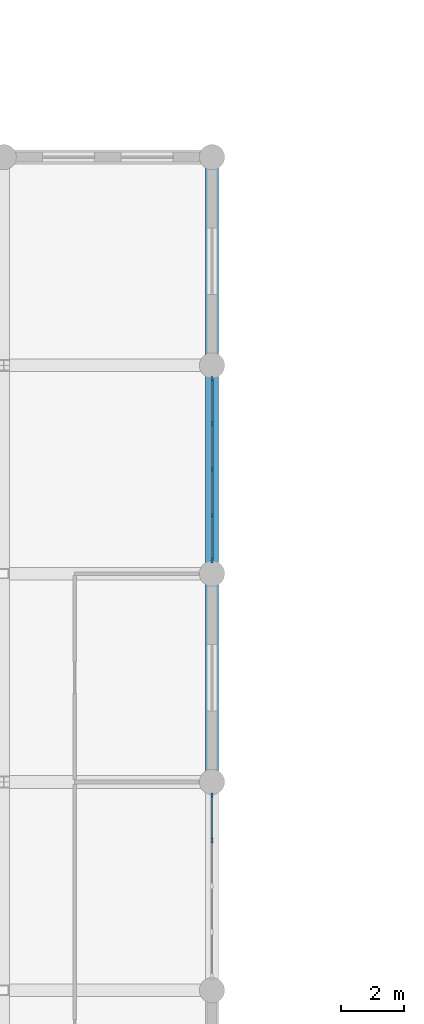
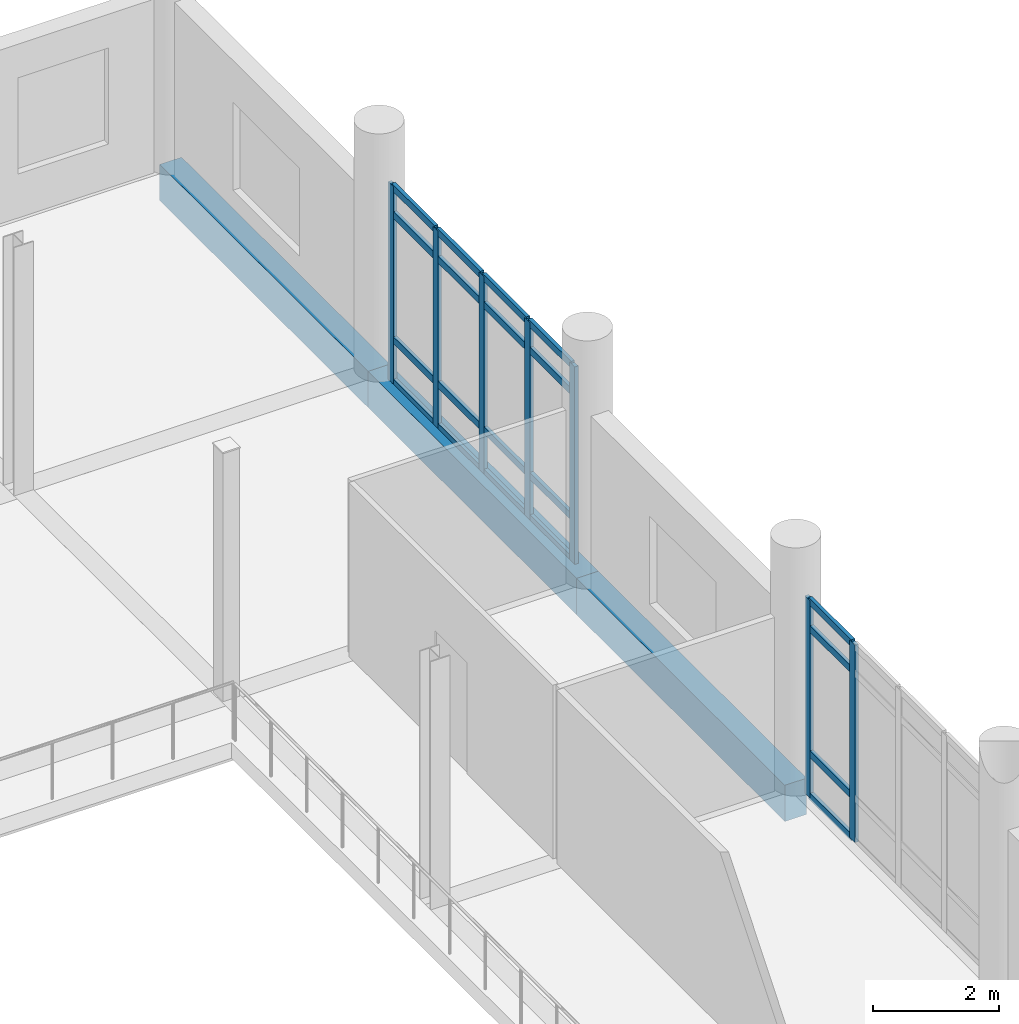
# One storey, part 21 of 76: 27 members, 3 beams, 2 elements without a shape of their own.
"""IFC4 building model written with IfcOpenShell, lengths in metres."""

from ifc_helpers import new_model, si_unit, direction, frame, origin, origin_2d, place, context, subcontext, project, spatial, rectangle, extrude, material, material_profile, profile_set, type_object, element, aggregate, save


model = new_model("IFC4")

# Units and contexts
model_context = context("Model", 3, precision=1e-05, world=origin(), true_north=direction((0.0, 1.0)))
body_context = subcontext(model_context, "Body", "Model", "MODEL_VIEW")
ifc_project = project(units=[si_unit("LENGTHUNIT", "METRE"), si_unit("AREAUNIT", "SQUARE_METRE"), si_unit("VOLUMEUNIT", "CUBIC_METRE"), si_unit("PLANEANGLEUNIT", "RADIAN"), si_unit("MASSUNIT", "GRAM", prefix="KILO")], contexts=[model_context])

# Site, building, storey
site_placement = place(None, origin())
site = spatial("IfcSite", under=ifc_project, at=site_placement, CompositionType="ELEMENT")
building_placement = place(site_placement, origin())
building = spatial("IfcBuilding", under=site, at=building_placement, Name="Dornvale Research Institute", CompositionType="ELEMENT")
storey_placement = place(building_placement, frame((0.0, 0.0, 15.0)))
storey = spatial("IfcBuildingStorey", under=building, at=storey_placement, Name="L03", CompositionType="ELEMENT", Elevation=15.0)

# Curtain wall, members
ifc_material_1 = material(Name="Low-E Argon Double Insulating Glazing Unit", Category="glass")
curtain_wall_type = type_object("IfcCurtainWallType", Name="UnitisedCurtainWall_V2_5810x3820", PredefinedType="USERDEFINED", material=ifc_material_1)
curtain_wall_1_placement = place(storey_placement, origin())
curtain_wall_1 = element("IfcCurtainWall", 1, at=curtain_wall_1_placement, inside=storey, type_object=curtain_wall_type, Name="L03 V2 unitised curtain wall CW-03 #17", ObjectType="UNITISED CURTAIN WALL", PredefinedType="USERDEFINED")
ifc_material_2 = material(Name="Anodized Aluminum AA 6063-T6 Thermally Broken Frame", Category="aluminium")
ifc_material_profile_1 = material_profile(ifc_material_2, rectangle(XDim=0.06494140625, YDim=0.1650390625, at=origin_2d()), Name="ALU MULLION 65x165")
ifc_profile_set_1 = profile_set([ifc_material_profile_1], Name="Anodized Aluminum AA 6063-T6 Thermally Broken Frame")
member_type_1 = type_object("IfcMemberType", Name="Mullion_Atrium_65x165", PredefinedType="MULLION", material=ifc_profile_set_1)
member_1_placement = place(storey_placement, frame((66.0, 78.7724609375, 0.0), z_axis=(0.0, 0.0, 1.0), x_axis=(1.0, 0.0, 0.0)))
member_1 = element("IfcMember", 2, at=member_1_placement, type_object=member_type_1, Name="CW-03 mullion 1", PredefinedType="MULLION", context=body_context, shape_type="SweptSolid", body=[
    extrude(rectangle(XDim=0.06494140625, YDim=0.1650390625, at=origin_2d()), origin(), (0.0, 0.0, 1.0), 3.820068359375),
])
member_2_placement = place(storey_placement, frame((66.0, 77.3525390625, 0.0), z_axis=(0.0, 0.0, 1.0), x_axis=(1.0, 0.0, 0.0)))
member_2 = element("IfcMember", 3, at=member_2_placement, type_object=member_type_1, Name="CW-03 mullion 2", PredefinedType="MULLION", context=body_context, shape_type="SweptSolid", body=[
    extrude(rectangle(XDim=0.06494140625, YDim=0.1650390625, at=origin_2d()), origin(), (0.0, 0.0, 1.0), 3.820068359375),
])
member_3_placement = place(storey_placement, frame((66.0, 75.89990234375, 0.0), z_axis=(0.0, 0.0, 1.0), x_axis=(1.0, 0.0, 0.0)))
member_3 = element("IfcMember", 4, at=member_3_placement, type_object=member_type_1, Name="CW-03 mullion 3", PredefinedType="MULLION", context=body_context, shape_type="SweptSolid", body=[
    extrude(rectangle(XDim=0.06494140625, YDim=0.1650390625, at=origin_2d()), origin(), (0.0, 0.0, 1.0), 3.820068359375),
])
member_4_placement = place(storey_placement, frame((66.0, 74.447509765625, 0.0), z_axis=(0.0, 0.0, 1.0), x_axis=(1.0, 0.0, 0.0)))
member_4 = element("IfcMember", 5, at=member_4_placement, type_object=member_type_1, Name="CW-03 mullion 4", PredefinedType="MULLION", context=body_context, shape_type="SweptSolid", body=[
    extrude(rectangle(XDim=0.06494140625, YDim=0.1650390625, at=origin_2d()), origin(), (0.0, 0.0, 1.0), 3.820068359375),
])
member_5_placement = place(storey_placement, frame((66.0, 73.027587890625, 0.0), z_axis=(0.0, 0.0, 1.0), x_axis=(1.0, 0.0, 0.0)))
member_5 = element("IfcMember", 6, at=member_5_placement, type_object=member_type_1, Name="CW-03 mullion 5", PredefinedType="MULLION", context=body_context, shape_type="SweptSolid", body=[
    extrude(rectangle(XDim=0.06494140625, YDim=0.1650390625, at=origin_2d()), origin(), (0.0, 0.0, 1.0), 3.820068359375),
])

curtain_wall_2_placement = place(storey_placement, origin())
curtain_wall_2 = element("IfcCurtainWall", 7, at=curtain_wall_2_placement, inside=storey, type_object=curtain_wall_type, Name="L03 V2 unitised curtain wall CW-03 #18", ObjectType="UNITISED CURTAIN WALL", PredefinedType="USERDEFINED")
member_6_placement = place(storey_placement, frame((66.0, 65.572509765625, 0.0), z_axis=(0.0, 0.0, 1.0), x_axis=(1.0, 0.0, 0.0)))
member_6 = element("IfcMember", 8, at=member_6_placement, type_object=member_type_1, Name="CW-03 mullion 1", PredefinedType="MULLION", context=body_context, shape_type="SweptSolid", body=[
    extrude(rectangle(XDim=0.06494140625, YDim=0.1650390625, at=origin_2d()), origin(), (0.0, 0.0, 1.0), 3.820068359375),
])
member_7_placement = place(storey_placement, frame((66.0, 64.152587890625, 0.0), z_axis=(0.0, 0.0, 1.0), x_axis=(1.0, 0.0, 0.0)))
member_7 = element("IfcMember", 9, at=member_7_placement, type_object=member_type_1, Name="CW-03 mullion 2", PredefinedType="MULLION", context=body_context, shape_type="SweptSolid", body=[
    extrude(rectangle(XDim=0.06494140625, YDim=0.1650390625, at=origin_2d()), origin(), (0.0, 0.0, 1.0), 3.820068359375),
])

# Beams
ifc_material_3 = material(Name="Concrete f'c 45 MPa (C35/45)", Category="concrete")
ifc_material_profile_2 = material_profile(ifc_material_3, rectangle(XDim=0.39990234375, YDim=0.699951171875, at=origin_2d()), Name="RC 400x700")
ifc_profile_set_2 = profile_set([ifc_material_profile_2], Name="Concrete f'c 45 MPa (C35/45)")
beam_type = type_object("IfcBeamType", Name="Spandrel_RC400x700_Ext", PredefinedType="SPANDREL", material=ifc_profile_set_2)
beam_1_placement = place(storey_placement, frame((66.0, 66.0, -0.35009765625), z_axis=(0.0, 1.0, 0.0), x_axis=(-1.0, 0.0, 0.0)))
element("IfcBeam", 10, at=beam_1_placement, inside=storey, type_object=beam_type, Name="L03 perimeter spandrel #1111", PredefinedType="SPANDREL", context=body_context, shape_type="SweptSolid", body=[
    extrude(rectangle(XDim=0.39990234375, YDim=0.699951171875, at=origin_2d()), origin(), (0.0, 0.0, 1.0), 6.60009765625),
])
beam_2_placement = place(storey_placement, frame((66.0, 72.60009765625, -0.35009765625), z_axis=(0.0, 1.0, 0.0), x_axis=(-1.0, 0.0, 0.0)))
element("IfcBeam", 11, at=beam_2_placement, inside=storey, type_object=beam_type, Name="L03 perimeter spandrel #1112", PredefinedType="SPANDREL", context=body_context, shape_type="SweptSolid", body=[
    extrude(rectangle(XDim=0.39990234375, YDim=0.699951171875, at=origin_2d()), origin(), (0.0, 0.0, 1.0), 6.599853515625),
])
beam_3_placement = place(storey_placement, frame((66.0, 79.199951171875, -0.35009765625), z_axis=(0.0, 1.0, 0.0), x_axis=(-1.0, 0.0, 0.0)))
element("IfcBeam", 12, at=beam_3_placement, inside=storey, type_object=beam_type, Name="L03 perimeter spandrel #1113", PredefinedType="SPANDREL", context=body_context, shape_type="SweptSolid", body=[
    extrude(rectangle(XDim=0.39990234375, YDim=0.699951171875, at=origin_2d()), origin(), (0.0, 0.0, 1.0), 6.60009765625),
])

# Member
ifc_material_4 = material(Name="Anodized Aluminum AA 6063-T6 Thermally Broken Frame", Category="aluminium")
ifc_material_profile_3 = material_profile(ifc_material_4, rectangle(XDim=0.06494140625, YDim=0.135009765625, at=origin_2d()), Name="ALU TRANSOM 65x135")
ifc_profile_set_3 = profile_set([ifc_material_profile_3], Name="Anodized Aluminum AA 6063-T6 Thermally Broken Frame")
member_type_2 = type_object("IfcMemberType", Name="Transom_CW_65x135", PredefinedType="USERDEFINED", material=ifc_profile_set_3)
member_8_placement = place(storey_placement, frame((66.0, 78.739990234375, 0.032470703125), z_axis=(0.0, -1.0, 0.0), x_axis=(1.0, 0.0, 0.0)))
member_8 = element("IfcMember", 13, at=member_8_placement, type_object=member_type_2, Name="CW-03 transom 1.1", ObjectType="TRANSOM", PredefinedType="USERDEFINED", context=body_context, shape_type="SweptSolid", body=[
    extrude(rectangle(XDim=0.06494140625, YDim=0.135009765625, at=origin_2d()), origin(), (0.0, 0.0, 1.0), 1.35498046875),
])

member_9_placement = place(storey_placement, frame((66.0, 78.739990234375, 0.85009765625), z_axis=(0.0, -1.0, 0.0), x_axis=(1.0, 0.0, 0.0)))
member_9 = element("IfcMember", 14, at=member_9_placement, type_object=member_type_2, Name="CW-03 transom 1.2", ObjectType="TRANSOM", PredefinedType="USERDEFINED", context=body_context, shape_type="SweptSolid", body=[
    extrude(rectangle(XDim=0.06494140625, YDim=0.135009765625, at=origin_2d()), origin(), (0.0, 0.0, 1.0), 1.35498046875),
])

member_10_placement = place(storey_placement, frame((66.0, 78.739990234375, 3.27001953125), z_axis=(0.0, -1.0, 0.0), x_axis=(1.0, 0.0, 0.0)))
member_10 = element("IfcMember", 15, at=member_10_placement, type_object=member_type_2, Name="CW-03 transom 1.3", ObjectType="TRANSOM", PredefinedType="USERDEFINED", context=body_context, shape_type="SweptSolid", body=[
    extrude(rectangle(XDim=0.06494140625, YDim=0.135009765625, at=origin_2d()), origin(), (0.0, 0.0, 1.0), 1.35498046875),
])

member_11_placement = place(storey_placement, frame((66.0, 78.739990234375, 3.78759765625), z_axis=(0.0, -1.0, 0.0), x_axis=(1.0, 0.0, 0.0)))
member_11 = element("IfcMember", 16, at=member_11_placement, type_object=member_type_2, Name="CW-03 transom 1.4", ObjectType="TRANSOM", PredefinedType="USERDEFINED", context=body_context, shape_type="SweptSolid", body=[
    extrude(rectangle(XDim=0.06494140625, YDim=0.135009765625, at=origin_2d()), origin(), (0.0, 0.0, 1.0), 1.35498046875),
])

member_12_placement = place(storey_placement, frame((66.0, 77.320068359375, 0.032470703125), z_axis=(0.0, -1.0, 0.0), x_axis=(1.0, 0.0, 0.0)))
member_12 = element("IfcMember", 17, at=member_12_placement, type_object=member_type_2, Name="CW-03 transom 2.1", ObjectType="TRANSOM", PredefinedType="USERDEFINED", context=body_context, shape_type="SweptSolid", body=[
    extrude(rectangle(XDim=0.06494140625, YDim=0.135009765625, at=origin_2d()), origin(), (0.0, 0.0, 1.0), 1.387451171875),
])

member_13_placement = place(storey_placement, frame((66.0, 77.320068359375, 0.85009765625), z_axis=(0.0, -1.0, 0.0), x_axis=(1.0, 0.0, 0.0)))
member_13 = element("IfcMember", 18, at=member_13_placement, type_object=member_type_2, Name="CW-03 transom 2.2", ObjectType="TRANSOM", PredefinedType="USERDEFINED", context=body_context, shape_type="SweptSolid", body=[
    extrude(rectangle(XDim=0.06494140625, YDim=0.135009765625, at=origin_2d()), origin(), (0.0, 0.0, 1.0), 1.387451171875),
])

member_14_placement = place(storey_placement, frame((66.0, 77.320068359375, 3.27001953125), z_axis=(0.0, -1.0, 0.0), x_axis=(1.0, 0.0, 0.0)))
member_14 = element("IfcMember", 19, at=member_14_placement, type_object=member_type_2, Name="CW-03 transom 2.3", ObjectType="TRANSOM", PredefinedType="USERDEFINED", context=body_context, shape_type="SweptSolid", body=[
    extrude(rectangle(XDim=0.06494140625, YDim=0.135009765625, at=origin_2d()), origin(), (0.0, 0.0, 1.0), 1.387451171875),
])

member_15_placement = place(storey_placement, frame((66.0, 77.320068359375, 3.78759765625), z_axis=(0.0, -1.0, 0.0), x_axis=(1.0, 0.0, 0.0)))
member_15 = element("IfcMember", 20, at=member_15_placement, type_object=member_type_2, Name="CW-03 transom 2.4", ObjectType="TRANSOM", PredefinedType="USERDEFINED", context=body_context, shape_type="SweptSolid", body=[
    extrude(rectangle(XDim=0.06494140625, YDim=0.135009765625, at=origin_2d()), origin(), (0.0, 0.0, 1.0), 1.387451171875),
])

member_16_placement = place(storey_placement, frame((66.0, 75.867431640625, 0.032470703125), z_axis=(0.0, -1.0, 0.0), x_axis=(1.0, 0.0, 0.0)))
member_16 = element("IfcMember", 21, at=member_16_placement, type_object=member_type_2, Name="CW-03 transom 3.1", ObjectType="TRANSOM", PredefinedType="USERDEFINED", context=body_context, shape_type="SweptSolid", body=[
    extrude(rectangle(XDim=0.06494140625, YDim=0.135009765625, at=origin_2d()), origin(), (0.0, 0.0, 1.0), 1.387451171875),
])

member_17_placement = place(storey_placement, frame((66.0, 75.867431640625, 0.85009765625), z_axis=(0.0, -1.0, 0.0), x_axis=(1.0, 0.0, 0.0)))
member_17 = element("IfcMember", 22, at=member_17_placement, type_object=member_type_2, Name="CW-03 transom 3.2", ObjectType="TRANSOM", PredefinedType="USERDEFINED", context=body_context, shape_type="SweptSolid", body=[
    extrude(rectangle(XDim=0.06494140625, YDim=0.135009765625, at=origin_2d()), origin(), (0.0, 0.0, 1.0), 1.387451171875),
])

member_18_placement = place(storey_placement, frame((66.0, 75.867431640625, 3.27001953125), z_axis=(0.0, -1.0, 0.0), x_axis=(1.0, 0.0, 0.0)))
member_18 = element("IfcMember", 23, at=member_18_placement, type_object=member_type_2, Name="CW-03 transom 3.3", ObjectType="TRANSOM", PredefinedType="USERDEFINED", context=body_context, shape_type="SweptSolid", body=[
    extrude(rectangle(XDim=0.06494140625, YDim=0.135009765625, at=origin_2d()), origin(), (0.0, 0.0, 1.0), 1.387451171875),
])

member_19_placement = place(storey_placement, frame((66.0, 75.867431640625, 3.78759765625), z_axis=(0.0, -1.0, 0.0), x_axis=(1.0, 0.0, 0.0)))
member_19 = element("IfcMember", 24, at=member_19_placement, type_object=member_type_2, Name="CW-03 transom 3.4", ObjectType="TRANSOM", PredefinedType="USERDEFINED", context=body_context, shape_type="SweptSolid", body=[
    extrude(rectangle(XDim=0.06494140625, YDim=0.135009765625, at=origin_2d()), origin(), (0.0, 0.0, 1.0), 1.387451171875),
])

member_20_placement = place(storey_placement, frame((66.0, 74.4150390625, 0.032470703125), z_axis=(0.0, -1.0, 0.0), x_axis=(1.0, 0.0, 0.0)))
member_20 = element("IfcMember", 25, at=member_20_placement, type_object=member_type_2, Name="CW-03 transom 4.1", ObjectType="TRANSOM", PredefinedType="USERDEFINED", context=body_context, shape_type="SweptSolid", body=[
    extrude(rectangle(XDim=0.06494140625, YDim=0.135009765625, at=origin_2d()), origin(), (0.0, 0.0, 1.0), 1.35498046875),
])

member_21_placement = place(storey_placement, frame((66.0, 74.4150390625, 0.85009765625), z_axis=(0.0, -1.0, 0.0), x_axis=(1.0, 0.0, 0.0)))
member_21 = element("IfcMember", 26, at=member_21_placement, type_object=member_type_2, Name="CW-03 transom 4.2", ObjectType="TRANSOM", PredefinedType="USERDEFINED", context=body_context, shape_type="SweptSolid", body=[
    extrude(rectangle(XDim=0.06494140625, YDim=0.135009765625, at=origin_2d()), origin(), (0.0, 0.0, 1.0), 1.35498046875),
])

member_22_placement = place(storey_placement, frame((66.0, 74.4150390625, 3.27001953125), z_axis=(0.0, -1.0, 0.0), x_axis=(1.0, 0.0, 0.0)))
member_22 = element("IfcMember", 27, at=member_22_placement, type_object=member_type_2, Name="CW-03 transom 4.3", ObjectType="TRANSOM", PredefinedType="USERDEFINED", context=body_context, shape_type="SweptSolid", body=[
    extrude(rectangle(XDim=0.06494140625, YDim=0.135009765625, at=origin_2d()), origin(), (0.0, 0.0, 1.0), 1.35498046875),
])

member_23_placement = place(storey_placement, frame((66.0, 74.4150390625, 3.78759765625), z_axis=(0.0, -1.0, 0.0), x_axis=(1.0, 0.0, 0.0)))
member_23 = element("IfcMember", 28, at=member_23_placement, type_object=member_type_2, Name="CW-03 transom 4.4", ObjectType="TRANSOM", PredefinedType="USERDEFINED", context=body_context, shape_type="SweptSolid", body=[
    extrude(rectangle(XDim=0.06494140625, YDim=0.135009765625, at=origin_2d()), origin(), (0.0, 0.0, 1.0), 1.35498046875),
])

aggregate(curtain_wall_1, [member_1, member_2, member_3, member_4, member_5, member_8, member_9, member_10, member_11, member_12, member_13, member_14, member_15, member_16, member_17, member_18, member_19, member_20, member_21, member_22, member_23])

member_24_placement = place(storey_placement, frame((66.0, 65.5400390625, 0.032470703125), z_axis=(0.0, -1.0, 0.0), x_axis=(1.0, 0.0, 0.0)))
member_24 = element("IfcMember", 29, at=member_24_placement, type_object=member_type_2, Name="CW-03 transom 1.1", ObjectType="TRANSOM", PredefinedType="USERDEFINED", context=body_context, shape_type="SweptSolid", body=[
    extrude(rectangle(XDim=0.06494140625, YDim=0.135009765625, at=origin_2d()), origin(), (0.0, 0.0, 1.0), 1.35498046875),
])

member_25_placement = place(storey_placement, frame((66.0, 65.5400390625, 0.85009765625), z_axis=(0.0, -1.0, 0.0), x_axis=(1.0, 0.0, 0.0)))
member_25 = element("IfcMember", 30, at=member_25_placement, type_object=member_type_2, Name="CW-03 transom 1.2", ObjectType="TRANSOM", PredefinedType="USERDEFINED", context=body_context, shape_type="SweptSolid", body=[
    extrude(rectangle(XDim=0.06494140625, YDim=0.135009765625, at=origin_2d()), origin(), (0.0, 0.0, 1.0), 1.35498046875),
])

member_26_placement = place(storey_placement, frame((66.0, 65.5400390625, 3.27001953125), z_axis=(0.0, -1.0, 0.0), x_axis=(1.0, 0.0, 0.0)))
member_26 = element("IfcMember", 31, at=member_26_placement, type_object=member_type_2, Name="CW-03 transom 1.3", ObjectType="TRANSOM", PredefinedType="USERDEFINED", context=body_context, shape_type="SweptSolid", body=[
    extrude(rectangle(XDim=0.06494140625, YDim=0.135009765625, at=origin_2d()), origin(), (0.0, 0.0, 1.0), 1.35498046875),
])

member_27_placement = place(storey_placement, frame((66.0, 65.5400390625, 3.78759765625), z_axis=(0.0, -1.0, 0.0), x_axis=(1.0, 0.0, 0.0)))
member_27 = element("IfcMember", 32, at=member_27_placement, type_object=member_type_2, Name="CW-03 transom 1.4", ObjectType="TRANSOM", PredefinedType="USERDEFINED", context=body_context, shape_type="SweptSolid", body=[
    extrude(rectangle(XDim=0.06494140625, YDim=0.135009765625, at=origin_2d()), origin(), (0.0, 0.0, 1.0), 1.35498046875),
])

aggregate(curtain_wall_2, [member_6, member_7, member_24, member_25, member_26, member_27])

save(model, "model.ifc")
